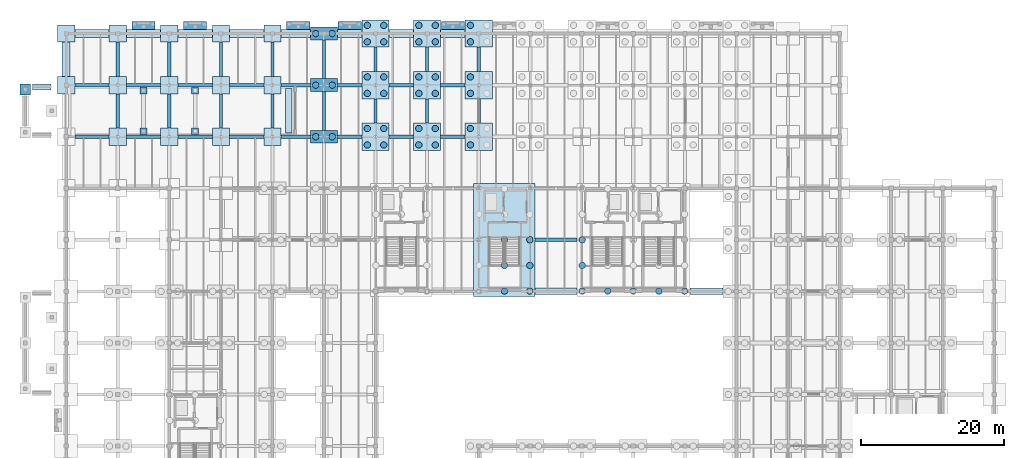
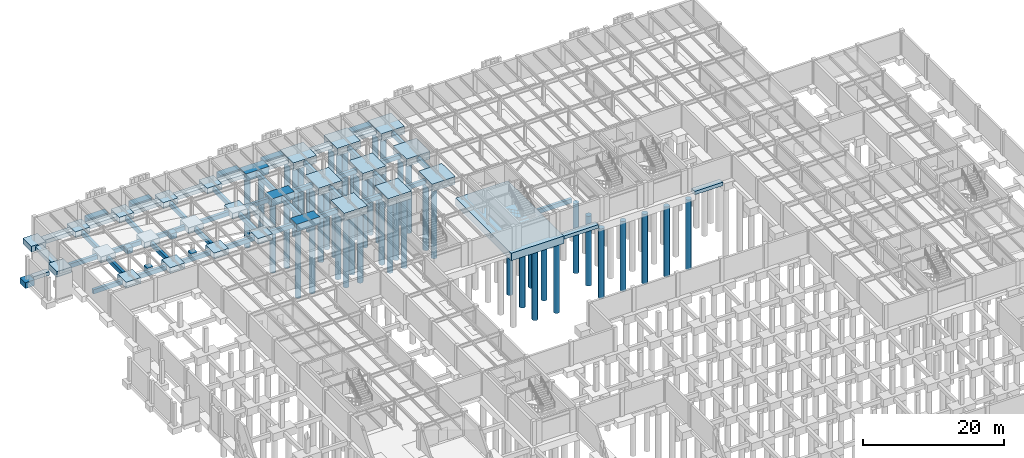
# One storey, part 7 of 46: 83 footings, 49 piles.
"""IFC4 building model written with IfcOpenShell, lengths in metres."""

from ifc_helpers import new_model, si_unit, direction, frame, origin, origin_2d, place, context, subcontext, project, spatial, rectangle, circle, extrude, material, material_profile, profile_set, type_object, element, save


model = new_model("IFC4")

# Units and contexts
model_context = context("Model", 3, precision=1e-05, world=origin(), true_north=direction((0.0, 1.0)))
body_context = subcontext(model_context, "Body", "Model", "MODEL_VIEW")
ifc_project = project(units=[si_unit("LENGTHUNIT", "METRE"), si_unit("AREAUNIT", "SQUARE_METRE"), si_unit("VOLUMEUNIT", "CUBIC_METRE"), si_unit("PLANEANGLEUNIT", "RADIAN"), si_unit("MASSUNIT", "GRAM", prefix="KILO")], contexts=[model_context])

# Site, building, storey
site_placement = place(None, origin())
site = spatial("IfcSite", under=ifc_project, at=site_placement, CompositionType="ELEMENT")
building_placement = place(site_placement, origin())
building = spatial("IfcBuilding", under=site, at=building_placement, Name="Sillqori Civic Hall", CompositionType="ELEMENT")
storey_placement = place(building_placement, frame((0.0, 0.0, -4.199951171875)))
storey = spatial("IfcBuildingStorey", under=building, at=storey_placement, Name="B01", CompositionType="ELEMENT", Elevation=-4.199951171875)

# Footings
ifc_material = material(Name="Concrete C35/45 (H35)", Category="concrete")
footing_type_1 = type_object("IfcFootingType", Name="FB-450X750", PredefinedType="FOOTING_BEAM", material=ifc_material)
for number, where, z_axis, x_axis, name in (
    (1, (10.800048828125, 100.800048828125, -0.969970703125), (0.0, 0.0, 1.0), (1.0, 0.0, 0.0), "Seismic tie beam X 1-14"),
    (2, (10.800048828125, 108.0, -0.969970703125), (0.0, 0.0, 1.0), (1.0, 0.0, 0.0), "Seismic tie beam X 1-15"),
    (3, (18.0, 100.800048828125, -0.969970703125), (0.0, 0.0, 1.0), (1.0, 0.0, 0.0), "Seismic tie beam X 2-14"),
):
    element("IfcFooting", number, at=place(storey_placement, frame(where, z_axis=z_axis, x_axis=x_axis)), inside=storey, type_object=footing_type_1, Name=name, PredefinedType="FOOTING_BEAM", context=body_context, shape_type="SweptSolid", body=[
        extrude(rectangle(XDim=4.800048828125, YDim=0.449951171875, at=origin_2d()), origin(), (0.0, 0.0, 1.0), 0.75),
    ])
footing_1_placement = place(storey_placement, frame((14.39990234375, 104.39990234375, -0.969970703125), z_axis=(0.0, 0.0, 1.0), x_axis=(1.0, 0.0, 0.0)))
element("IfcFooting", 4, at=footing_1_placement, inside=storey, type_object=footing_type_1, Name="Seismic tie beam Y 2-14", PredefinedType="FOOTING_BEAM", context=body_context, shape_type="SweptSolid", body=[
    extrude(rectangle(XDim=0.449951171875, YDim=4.800048828125, at=origin_2d()), origin(), (0.0, 0.0, 1.0), 0.75),
])
footing_2_placement = place(storey_placement, frame((18.0, 108.0, -0.969970703125), z_axis=(0.0, 0.0, 1.0), x_axis=(1.0, 0.0, 0.0)))
element("IfcFooting", 5, at=footing_2_placement, inside=storey, type_object=footing_type_1, Name="Seismic tie beam X 2-15", PredefinedType="FOOTING_BEAM", context=body_context, shape_type="SweptSolid", body=[
    extrude(rectangle(XDim=4.800048828125, YDim=0.449951171875, at=origin_2d()), origin(), (0.0, 0.0, 1.0), 0.75),
])
footing_3_placement = place(storey_placement, frame((14.39990234375, 111.60009765625, -0.969970703125), z_axis=(0.0, 0.0, 1.0), x_axis=(1.0, 0.0, 0.0)))
element("IfcFooting", 6, at=footing_3_placement, inside=storey, type_object=footing_type_1, Name="Seismic tie beam Y 2-15", PredefinedType="FOOTING_BEAM", context=body_context, shape_type="SweptSolid", body=[
    extrude(rectangle(XDim=0.449951171875, YDim=4.800048828125, at=origin_2d()), origin(), (0.0, 0.0, 1.0), 0.75),
])
footing_4_placement = place(storey_placement, frame((25.199951171875, 100.800048828125, -0.969970703125), z_axis=(0.0, 0.0, 1.0), x_axis=(1.0, 0.0, 0.0)))
element("IfcFooting", 7, at=footing_4_placement, inside=storey, type_object=footing_type_1, Name="Seismic tie beam X 3-14", PredefinedType="FOOTING_BEAM", context=body_context, shape_type="SweptSolid", body=[
    extrude(rectangle(XDim=4.800048828125, YDim=0.449951171875, at=origin_2d()), origin(), (0.0, 0.0, 1.0), 0.75),
])
footing_5_placement = place(storey_placement, frame((21.60009765625, 104.39990234375, -0.969970703125), z_axis=(0.0, 0.0, 1.0), x_axis=(1.0, 0.0, 0.0)))
element("IfcFooting", 8, at=footing_5_placement, inside=storey, type_object=footing_type_1, Name="Seismic tie beam Y 3-14", PredefinedType="FOOTING_BEAM", context=body_context, shape_type="SweptSolid", body=[
    extrude(rectangle(XDim=0.449951171875, YDim=4.800048828125, at=origin_2d()), origin(), (0.0, 0.0, 1.0), 0.75),
])
footing_6_placement = place(storey_placement, frame((25.199951171875, 108.0, -0.969970703125), z_axis=(0.0, 0.0, 1.0), x_axis=(1.0, 0.0, 0.0)))
element("IfcFooting", 9, at=footing_6_placement, inside=storey, type_object=footing_type_1, Name="Seismic tie beam X 3-15", PredefinedType="FOOTING_BEAM", context=body_context, shape_type="SweptSolid", body=[
    extrude(rectangle(XDim=4.800048828125, YDim=0.449951171875, at=origin_2d()), origin(), (0.0, 0.0, 1.0), 0.75),
])
footing_7_placement = place(storey_placement, frame((21.60009765625, 111.60009765625, -0.969970703125), z_axis=(0.0, 0.0, 1.0), x_axis=(1.0, 0.0, 0.0)))
element("IfcFooting", 10, at=footing_7_placement, inside=storey, type_object=footing_type_1, Name="Seismic tie beam Y 3-15", PredefinedType="FOOTING_BEAM", context=body_context, shape_type="SweptSolid", body=[
    extrude(rectangle(XDim=0.449951171875, YDim=4.800048828125, at=origin_2d()), origin(), (0.0, 0.0, 1.0), 0.75),
])
footing_8_placement = place(storey_placement, frame((32.39990234375, 100.800048828125, -0.969970703125), z_axis=(0.0, 0.0, 1.0), x_axis=(1.0, 0.0, 0.0)))
element("IfcFooting", 11, at=footing_8_placement, inside=storey, type_object=footing_type_1, Name="Seismic tie beam X 4-14", PredefinedType="FOOTING_BEAM", context=body_context, shape_type="SweptSolid", body=[
    extrude(rectangle(XDim=4.800048828125, YDim=0.449951171875, at=origin_2d()), origin(), (0.0, 0.0, 1.0), 0.75),
])
footing_9_placement = place(storey_placement, frame((28.800048828125, 104.39990234375, -0.969970703125), z_axis=(0.0, 0.0, 1.0), x_axis=(1.0, 0.0, 0.0)))
element("IfcFooting", 12, at=footing_9_placement, inside=storey, type_object=footing_type_1, Name="Seismic tie beam Y 4-14", PredefinedType="FOOTING_BEAM", context=body_context, shape_type="SweptSolid", body=[
    extrude(rectangle(XDim=0.449951171875, YDim=4.800048828125, at=origin_2d()), origin(), (0.0, 0.0, 1.0), 0.75),
])
footing_10_placement = place(storey_placement, frame((32.39990234375, 108.0, -0.969970703125), z_axis=(0.0, 0.0, 1.0), x_axis=(1.0, 0.0, 0.0)))
element("IfcFooting", 13, at=footing_10_placement, inside=storey, type_object=footing_type_1, Name="Seismic tie beam X 4-15", PredefinedType="FOOTING_BEAM", context=body_context, shape_type="SweptSolid", body=[
    extrude(rectangle(XDim=4.800048828125, YDim=0.449951171875, at=origin_2d()), origin(), (0.0, 0.0, 1.0), 0.75),
])
footing_11_placement = place(storey_placement, frame((28.800048828125, 111.60009765625, -0.969970703125), z_axis=(0.0, 0.0, 1.0), x_axis=(1.0, 0.0, 0.0)))
element("IfcFooting", 14, at=footing_11_placement, inside=storey, type_object=footing_type_1, Name="Seismic tie beam Y 4-15", PredefinedType="FOOTING_BEAM", context=body_context, shape_type="SweptSolid", body=[
    extrude(rectangle(XDim=0.449951171875, YDim=4.800048828125, at=origin_2d()), origin(), (0.0, 0.0, 1.0), 0.75),
])
footing_12_placement = place(storey_placement, frame((39.25, 100.800048828125, -0.969970703125), z_axis=(0.0, 0.0, 1.0), x_axis=(1.0, 0.0, 0.0)))
element("IfcFooting", 15, at=footing_12_placement, inside=storey, type_object=footing_type_1, Name="Seismic tie beam X 5-14", PredefinedType="FOOTING_BEAM", context=body_context, shape_type="SweptSolid", body=[
    extrude(rectangle(XDim=4.10009765625, YDim=0.449951171875, at=origin_2d()), origin(), (0.0, 0.0, 1.0), 0.75),
])
footing_13_placement = place(storey_placement, frame((36.0, 104.39990234375, -0.969970703125), z_axis=(0.0, 0.0, 1.0), x_axis=(1.0, 0.0, 0.0)))
element("IfcFooting", 16, at=footing_13_placement, inside=storey, type_object=footing_type_1, Name="Seismic tie beam Y 5-14", PredefinedType="FOOTING_BEAM", context=body_context, shape_type="SweptSolid", body=[
    extrude(rectangle(XDim=0.449951171875, YDim=4.800048828125, at=origin_2d()), origin(), (0.0, 0.0, 1.0), 0.75),
])
footing_14_placement = place(storey_placement, frame((39.25, 108.0, -0.969970703125), z_axis=(0.0, 0.0, 1.0), x_axis=(1.0, 0.0, 0.0)))
element("IfcFooting", 17, at=footing_14_placement, inside=storey, type_object=footing_type_1, Name="Seismic tie beam X 5-15", PredefinedType="FOOTING_BEAM", context=body_context, shape_type="SweptSolid", body=[
    extrude(rectangle(XDim=4.10009765625, YDim=0.449951171875, at=origin_2d()), origin(), (0.0, 0.0, 1.0), 0.75),
])
footing_15_placement = place(storey_placement, frame((36.0, 111.60009765625, -0.969970703125), z_axis=(0.0, 0.0, 1.0), x_axis=(1.0, 0.0, 0.0)))
element("IfcFooting", 18, at=footing_15_placement, inside=storey, type_object=footing_type_1, Name="Seismic tie beam Y 5-15", PredefinedType="FOOTING_BEAM", context=body_context, shape_type="SweptSolid", body=[
    extrude(rectangle(XDim=0.449951171875, YDim=4.800048828125, at=origin_2d()), origin(), (0.0, 0.0, 1.0), 0.75),
])
footing_16_placement = place(storey_placement, frame((46.800048828125, 100.800048828125, -0.969970703125), z_axis=(0.0, 0.0, 1.0), x_axis=(1.0, 0.0, 0.0)))
element("IfcFooting", 19, at=footing_16_placement, inside=storey, type_object=footing_type_1, Name="Seismic tie beam X 6-14", PredefinedType="FOOTING_BEAM", context=body_context, shape_type="SweptSolid", body=[
    extrude(rectangle(XDim=3.39990234375, YDim=0.449951171875, at=origin_2d()), origin(), (0.0, 0.0, 1.0), 0.75),
])
footing_17_placement = place(storey_placement, frame((43.199951171875, 104.39990234375, -0.969970703125), z_axis=(0.0, 0.0, 1.0), x_axis=(1.0, 0.0, 0.0)))
element("IfcFooting", 20, at=footing_17_placement, inside=storey, type_object=footing_type_1, Name="Seismic tie beam Y 6-14", PredefinedType="FOOTING_BEAM", context=body_context, shape_type="SweptSolid", body=[
    extrude(rectangle(XDim=0.449951171875, YDim=5.39990234375, at=origin_2d()), origin(), (0.0, 0.0, 1.0), 0.75),
])
footing_18_placement = place(storey_placement, frame((46.800048828125, 108.0, -0.969970703125), z_axis=(0.0, 0.0, 1.0), x_axis=(1.0, 0.0, 0.0)))
element("IfcFooting", 21, at=footing_18_placement, inside=storey, type_object=footing_type_1, Name="Seismic tie beam X 6-15", PredefinedType="FOOTING_BEAM", context=body_context, shape_type="SweptSolid", body=[
    extrude(rectangle(XDim=3.39990234375, YDim=0.449951171875, at=origin_2d()), origin(), (0.0, 0.0, 1.0), 0.75),
])
footing_19_placement = place(storey_placement, frame((43.199951171875, 111.60009765625, -0.969970703125), z_axis=(0.0, 0.0, 1.0), x_axis=(1.0, 0.0, 0.0)))
element("IfcFooting", 22, at=footing_19_placement, inside=storey, type_object=footing_type_1, Name="Seismic tie beam Y 6-15", PredefinedType="FOOTING_BEAM", context=body_context, shape_type="SweptSolid", body=[
    extrude(rectangle(XDim=0.449951171875, YDim=5.39990234375, at=origin_2d()), origin(), (0.0, 0.0, 1.0), 0.75),
])
footing_20_placement = place(storey_placement, frame((54.0, 100.800048828125, -0.969970703125), z_axis=(0.0, 0.0, 1.0), x_axis=(1.0, 0.0, 0.0)))
element("IfcFooting", 23, at=footing_20_placement, inside=storey, type_object=footing_type_1, Name="Seismic tie beam X 7-14", PredefinedType="FOOTING_BEAM", context=body_context, shape_type="SweptSolid", body=[
    extrude(rectangle(XDim=3.39990234375, YDim=0.449951171875, at=origin_2d()), origin(), (0.0, 0.0, 1.0), 0.75),
])
footing_21_placement = place(storey_placement, frame((50.39990234375, 104.39990234375, -0.969970703125), z_axis=(0.0, 0.0, 1.0), x_axis=(1.0, 0.0, 0.0)))
element("IfcFooting", 24, at=footing_21_placement, inside=storey, type_object=footing_type_1, Name="Seismic tie beam Y 7-14", PredefinedType="FOOTING_BEAM", context=body_context, shape_type="SweptSolid", body=[
    extrude(rectangle(XDim=0.449951171875, YDim=3.39990234375, at=origin_2d()), origin(), (0.0, 0.0, 1.0), 0.75),
])
footing_22_placement = place(storey_placement, frame((54.0, 108.0, -0.969970703125), z_axis=(0.0, 0.0, 1.0), x_axis=(1.0, 0.0, 0.0)))
element("IfcFooting", 25, at=footing_22_placement, inside=storey, type_object=footing_type_1, Name="Seismic tie beam X 7-15", PredefinedType="FOOTING_BEAM", context=body_context, shape_type="SweptSolid", body=[
    extrude(rectangle(XDim=3.39990234375, YDim=0.449951171875, at=origin_2d()), origin(), (0.0, 0.0, 1.0), 0.75),
])
footing_23_placement = place(storey_placement, frame((50.39990234375, 111.60009765625, -0.969970703125), z_axis=(0.0, 0.0, 1.0), x_axis=(1.0, 0.0, 0.0)))
element("IfcFooting", 26, at=footing_23_placement, inside=storey, type_object=footing_type_1, Name="Seismic tie beam Y 7-15", PredefinedType="FOOTING_BEAM", context=body_context, shape_type="SweptSolid", body=[
    extrude(rectangle(XDim=0.449951171875, YDim=3.39990234375, at=origin_2d()), origin(), (0.0, 0.0, 1.0), 0.75),
])
footing_24_placement = place(storey_placement, frame((61.199951171875, 100.800048828125, -0.969970703125), z_axis=(0.0, 0.0, 1.0), x_axis=(1.0, 0.0, 0.0)))
element("IfcFooting", 27, at=footing_24_placement, inside=storey, type_object=footing_type_1, Name="Seismic tie beam X 8-14", PredefinedType="FOOTING_BEAM", context=body_context, shape_type="SweptSolid", body=[
    extrude(rectangle(XDim=3.39990234375, YDim=0.449951171875, at=origin_2d()), origin(), (0.0, 0.0, 1.0), 0.75),
])
footing_25_placement = place(storey_placement, frame((57.60009765625, 104.39990234375, -0.969970703125), z_axis=(0.0, 0.0, 1.0), x_axis=(1.0, 0.0, 0.0)))
element("IfcFooting", 28, at=footing_25_placement, inside=storey, type_object=footing_type_1, Name="Seismic tie beam Y 8-14", PredefinedType="FOOTING_BEAM", context=body_context, shape_type="SweptSolid", body=[
    extrude(rectangle(XDim=0.449951171875, YDim=3.39990234375, at=origin_2d()), origin(), (0.0, 0.0, 1.0), 0.75),
])
footing_26_placement = place(storey_placement, frame((61.199951171875, 108.0, -0.969970703125), z_axis=(0.0, 0.0, 1.0), x_axis=(1.0, 0.0, 0.0)))
element("IfcFooting", 29, at=footing_26_placement, inside=storey, type_object=footing_type_1, Name="Seismic tie beam X 8-15", PredefinedType="FOOTING_BEAM", context=body_context, shape_type="SweptSolid", body=[
    extrude(rectangle(XDim=3.39990234375, YDim=0.449951171875, at=origin_2d()), origin(), (0.0, 0.0, 1.0), 0.75),
])
for number, where, z_axis, x_axis, name in (
    (30, (57.60009765625, 111.60009765625, -0.969970703125), (0.0, 0.0, 1.0), (1.0, 0.0, 0.0), "Seismic tie beam Y 8-15"),
    (31, (64.800048828125, 104.39990234375, -0.969970703125), (0.0, 0.0, 1.0), (1.0, 0.0, 0.0), "Seismic tie beam Y 9-14"),
    (32, (64.800048828125, 111.60009765625, -0.969970703125), (0.0, 0.0, 1.0), (1.0, 0.0, 0.0), "Seismic tie beam Y 9-15"),
):
    element("IfcFooting", number, at=place(storey_placement, frame(where, z_axis=z_axis, x_axis=x_axis)), inside=storey, type_object=footing_type_1, Name=name, PredefinedType="FOOTING_BEAM", context=body_context, shape_type="SweptSolid", body=[
        extrude(rectangle(XDim=0.449951171875, YDim=3.39990234375, at=origin_2d()), origin(), (0.0, 0.0, 1.0), 0.75),
    ])
footing_27_placement = place(storey_placement, frame((75.60009765625, 86.39990234375, -0.969970703125), z_axis=(0.0, 0.0, 1.0), x_axis=(1.0, 0.0, 0.0)))
element("IfcFooting", 33, at=footing_27_placement, inside=storey, type_object=footing_type_1, Name="Seismic tie beam X 10-12", PredefinedType="FOOTING_BEAM", context=body_context, shape_type="SweptSolid", body=[
    extrude(rectangle(XDim=5.800048828125, YDim=0.449951171875, at=origin_2d()), origin(), (0.0, 0.0, 1.0), 0.75),
])
footing_type_2 = type_object("IfcFootingType", Name="PC-2P", PredefinedType="PILE_CAP", material=ifc_material)
for number, where, z_axis, x_axis, name in (
    (34, (43.199951171875, 100.800048828125, -1.30029296875), (0.0, 0.0, 1.0), (1.0, 0.0, 0.0), "Pile cap 6-14"),
    (35, (43.199951171875, 108.0, -1.30029296875), (0.0, 0.0, 1.0), (1.0, 0.0, 0.0), "Pile cap 6-15"),
    (36, (43.199951171875, 115.199951171875, -1.30029296875), (0.0, 0.0, 1.0), (1.0, 0.0, 0.0), "Pile cap 6-16"),
):
    element("IfcFooting", number, at=place(storey_placement, frame(where, z_axis=z_axis, x_axis=x_axis)), inside=storey, type_object=footing_type_2, Name=name, PredefinedType="PILE_CAP", context=body_context, shape_type="SweptSolid", body=[
        extrude(rectangle(XDim=3.800048828125, YDim=1.800048828125, at=origin_2d()), origin(), (0.0, 0.0, 1.0), 1.300048828125),
    ])
footing_type_3 = type_object("IfcFootingType", Name="PC-4P", PredefinedType="PILE_CAP", material=ifc_material)
for number, where, z_axis, x_axis, name in (
    (37, (50.39990234375, 100.800048828125, -1.30029296875), (0.0, 0.0, 1.0), (1.0, 0.0, 0.0), "Pile cap 7-14"),
    (38, (50.39990234375, 108.0, -1.30029296875), (0.0, 0.0, 1.0), (1.0, 0.0, 0.0), "Pile cap 7-15"),
    (39, (50.39990234375, 115.199951171875, -1.30029296875), (0.0, 0.0, 1.0), (1.0, 0.0, 0.0), "Pile cap 7-16"),
    (40, (57.60009765625, 100.800048828125, -1.30029296875), (0.0, 0.0, 1.0), (1.0, 0.0, 0.0), "Pile cap 8-14"),
    (41, (57.60009765625, 108.0, -1.30029296875), (0.0, 0.0, 1.0), (1.0, 0.0, 0.0), "Pile cap 8-15"),
    (42, (57.60009765625, 115.199951171875, -1.30029296875), (0.0, 0.0, 1.0), (1.0, 0.0, 0.0), "Pile cap 8-16"),
    (43, (64.800048828125, 100.800048828125, -1.30029296875), (0.0, 0.0, 1.0), (1.0, 0.0, 0.0), "Pile cap 9-14"),
    (44, (64.800048828125, 108.0, -1.30029296875), (0.0, 0.0, 1.0), (1.0, 0.0, 0.0), "Pile cap 9-15"),
    (45, (64.800048828125, 115.199951171875, -1.30029296875), (0.0, 0.0, 1.0), (1.0, 0.0, 0.0), "Pile cap 9-16"),
):
    element("IfcFooting", number, at=place(storey_placement, frame(where, z_axis=z_axis, x_axis=x_axis)), inside=storey, type_object=footing_type_3, Name=name, PredefinedType="PILE_CAP", context=body_context, shape_type="SweptSolid", body=[
        extrude(rectangle(XDim=3.800048828125, YDim=3.800048828125, at=origin_2d()), origin(), (0.0, 0.0, 1.0), 1.300048828125),
    ])
footing_type_4 = type_object("IfcFootingType", Name="PC-CORE", PredefinedType="PILE_CAP", material=ifc_material)
footing_28_placement = place(storey_placement, frame((68.39990234375, 86.39990234375, -1.30029296875), z_axis=(0.0, 0.0, 1.0), x_axis=(1.0, 0.0, 0.0)))
element("IfcFooting", 46, at=footing_28_placement, inside=storey, type_object=footing_type_4, Name="Core mat pile cap C6", PredefinedType="PILE_CAP", context=body_context, shape_type="SweptSolid", body=[
    extrude(rectangle(XDim=8.60009765625, YDim=15.800048828125, at=origin_2d()), origin(), (0.0, 0.0, 1.0), 1.300048828125),
])
footing_type_5 = type_object("IfcFootingType", Name="PF-1500", PredefinedType="PAD_FOOTING", material=ifc_material)
footing_29_placement = place(storey_placement, frame((1.5, 107.39990234375, -1.0), z_axis=(0.0, 0.0, 1.0), x_axis=(1.0, 0.0, 0.0)))
element("IfcFooting", 47, at=footing_29_placement, inside=storey, type_object=footing_type_5, Name="Car park ramp grade apron footing 2", PredefinedType="PAD_FOOTING", context=body_context, shape_type="SweptSolid", body=[
    extrude(rectangle(XDim=1.5, YDim=1.5, at=origin_2d()), origin(), (0.0, 0.0, 1.0), 1.0),
])
footing_type_6 = type_object("IfcFootingType", Name="PF-2400", PredefinedType="PAD_FOOTING", material=ifc_material)
for number, where, z_axis, x_axis, name in (
    (48, (7.199951171875, 108.0, -1.0), (0.0, 0.0, 1.0), (1.0, 0.0, 0.0), "Spread footing 1-15"),
    (49, (7.199951171875, 115.199951171875, -1.0), (0.0, 0.0, 1.0), (1.0, 0.0, 0.0), "Spread footing 1-16"),
    (50, (14.39990234375, 100.800048828125, -1.0), (0.0, 0.0, 1.0), (1.0, 0.0, 0.0), "Spread footing 2-14"),
    (51, (14.39990234375, 108.0, -1.0), (0.0, 0.0, 1.0), (1.0, 0.0, 0.0), "Spread footing 2-15"),
    (52, (14.39990234375, 115.199951171875, -1.0), (0.0, 0.0, 1.0), (1.0, 0.0, 0.0), "Spread footing 2-16"),
    (53, (21.60009765625, 100.800048828125, -1.0), (0.0, 0.0, 1.0), (1.0, 0.0, 0.0), "Spread footing 3-14"),
    (54, (21.60009765625, 108.0, -1.0), (0.0, 0.0, 1.0), (1.0, 0.0, 0.0), "Spread footing 3-15"),
    (55, (21.60009765625, 115.199951171875, -1.0), (0.0, 0.0, 1.0), (1.0, 0.0, 0.0), "Spread footing 3-16"),
    (56, (28.800048828125, 100.800048828125, -1.0), (0.0, 0.0, 1.0), (1.0, 0.0, 0.0), "Spread footing 4-14"),
    (57, (28.800048828125, 108.0, -1.0), (0.0, 0.0, 1.0), (1.0, 0.0, 0.0), "Spread footing 4-15"),
    (58, (28.800048828125, 115.199951171875, -1.0), (0.0, 0.0, 1.0), (1.0, 0.0, 0.0), "Spread footing 4-16"),
    (59, (36.0, 100.800048828125, -1.0), (0.0, 0.0, 1.0), (1.0, 0.0, 0.0), "Spread footing 5-14"),
    (60, (36.0, 108.0, -1.0), (0.0, 0.0, 1.0), (1.0, 0.0, 0.0), "Spread footing 5-15"),
    (61, (36.0, 115.199951171875, -1.0), (0.0, 0.0, 1.0), (1.0, 0.0, 0.0), "Spread footing 5-16"),
):
    element("IfcFooting", number, at=place(storey_placement, frame(where, z_axis=z_axis, x_axis=x_axis)), inside=storey, type_object=footing_type_6, Name=name, PredefinedType="PAD_FOOTING", context=body_context, shape_type="SweptSolid", body=[
        extrude(rectangle(XDim=2.39990234375, YDim=2.39990234375, at=origin_2d()), origin(), (0.0, 0.0, 1.0), 1.0),
    ])
footing_type_7 = type_object("IfcFootingType", Name="PF-950", PredefinedType="PAD_FOOTING", material=ifc_material)
for number, where, z_axis, x_axis, name in (
    (62, (18.0, 101.550048828125, -1.0), (0.0, 0.0, 1.0), (1.0, 0.0, 0.0), "Vehicle ramp bent 1 pad footing 1"),
    (63, (18.0, 107.25, -1.0), (0.0, 0.0, 1.0), (1.0, 0.0, 0.0), "Vehicle ramp bent 1 pad footing 2"),
    (64, (25.199951171875, 101.550048828125, -1.0), (0.0, 0.0, 1.0), (1.0, 0.0, 0.0), "Vehicle ramp bent 2 pad footing 1"),
    (65, (25.199951171875, 107.25, -1.0), (0.0, 0.0, 1.0), (1.0, 0.0, 0.0), "Vehicle ramp bent 2 pad footing 2"),
):
    element("IfcFooting", number, at=place(storey_placement, frame(where, z_axis=z_axis, x_axis=x_axis)), inside=storey, type_object=footing_type_7, Name=name, PredefinedType="PAD_FOOTING", context=body_context, shape_type="SweptSolid", body=[
        extrude(rectangle(XDim=0.949951171875, YDim=0.949951171875, at=origin_2d()), origin(), (0.0, 0.0, 1.0), 1.0),
    ])

# Piles
ifc_material_profile = material_profile(ifc_material, circle(Radius=0.449951171875, at=origin_2d()), Name="BORED PILE 900")
ifc_profile_set = profile_set([ifc_material_profile], Name="Concrete C35/45 (H35)")
pile_type = type_object("IfcPileType", Name="PILE-BORED-900", PredefinedType="BORED", material=ifc_profile_set)
for number, where, z_axis, x_axis, name in (
    (66, (68.39990234375, 79.25, -1.199951171875), (0.0, 0.0, -1.0), (1.0, 0.0, 0.0), "Bored pile FTG-CAP-C6-06"),
    (67, (68.39990234375, 82.824951171875, -1.199951171875), (0.0, 0.0, -1.0), (1.0, 0.0, 0.0), "Bored pile FTG-CAP-C6-07"),
    (68, (68.39990234375, 86.39990234375, -1.199951171875), (0.0, 0.0, -1.0), (1.0, 0.0, 0.0), "Bored pile FTG-CAP-C6-08"),
    (69, (71.949951171875, 79.25, -1.199951171875), (0.0, 0.0, -1.0), (1.0, 0.0, 0.0), "Bored pile FTG-CAP-C6-11"),
    (70, (71.949951171875, 82.824951171875, -1.199951171875), (0.0, 0.0, -1.0), (1.0, 0.0, 0.0), "Bored pile FTG-CAP-C6-12"),
    (71, (71.949951171875, 86.39990234375, -1.199951171875), (0.0, 0.0, -1.0), (1.0, 0.0, 0.0), "Bored pile FTG-CAP-C6-13"),
    (72, (79.25, 79.25, -1.199951171875), (0.0, 0.0, -1.0), (1.0, 0.0, 0.0), "Bored pile FTG-CAP-C7C8-01"),
    (73, (79.25, 82.824951171875, -1.199951171875), (0.0, 0.0, -1.0), (1.0, 0.0, 0.0), "Bored pile FTG-CAP-C7C8-02"),
    (74, (79.25, 86.39990234375, -1.199951171875), (0.0, 0.0, -1.0), (1.0, 0.0, 0.0), "Bored pile FTG-CAP-C7C8-03"),
    (75, (82.824951171875, 79.25, -1.199951171875), (0.0, 0.0, -1.0), (1.0, 0.0, 0.0), "Bored pile FTG-CAP-C7C8-06"),
    (76, (86.39990234375, 79.25, -1.199951171875), (0.0, 0.0, -1.0), (1.0, 0.0, 0.0), "Bored pile FTG-CAP-C7C8-11"),
    (77, (89.97509765625, 79.25, -1.199951171875), (0.0, 0.0, -1.0), (1.0, 0.0, 0.0), "Bored pile FTG-CAP-C7C8-16"),
    (78, (93.550048828125, 79.25, -1.199951171875), (0.0, 0.0, -1.0), (1.0, 0.0, 0.0), "Bored pile FTG-CAP-C7C8-21"),
    (79, (42.050048828125, 100.800048828125, -1.199951171875), (0.0, 0.0, -1.0), (1.0, 0.0, 0.0), "Bored pile FTG-PC-06-14-01"),
    (80, (44.35009765625, 100.800048828125, -1.199951171875), (0.0, 0.0, -1.0), (1.0, 0.0, 0.0), "Bored pile FTG-PC-06-14-02"),
    (81, (42.050048828125, 108.0, -1.199951171875), (0.0, 0.0, -1.0), (1.0, 0.0, 0.0), "Bored pile FTG-PC-06-15-01"),
    (82, (44.35009765625, 108.0, -1.199951171875), (0.0, 0.0, -1.0), (1.0, 0.0, 0.0), "Bored pile FTG-PC-06-15-02"),
    (83, (42.050048828125, 115.199951171875, -1.199951171875), (0.0, 0.0, -1.0), (1.0, 0.0, 0.0), "Bored pile FTG-PC-06-16-01"),
    (84, (44.35009765625, 115.199951171875, -1.199951171875), (0.0, 0.0, -1.0), (1.0, 0.0, 0.0), "Bored pile FTG-PC-06-16-02"),
    (85, (49.25, 99.64990234375, -1.199951171875), (0.0, 0.0, -1.0), (1.0, 0.0, 0.0), "Bored pile FTG-PC-07-14-01"),
    (86, (49.25, 101.949951171875, -1.199951171875), (0.0, 0.0, -1.0), (1.0, 0.0, 0.0), "Bored pile FTG-PC-07-14-02"),
    (87, (51.550048828125, 99.64990234375, -1.199951171875), (0.0, 0.0, -1.0), (1.0, 0.0, 0.0), "Bored pile FTG-PC-07-14-03"),
    (88, (51.550048828125, 101.949951171875, -1.199951171875), (0.0, 0.0, -1.0), (1.0, 0.0, 0.0), "Bored pile FTG-PC-07-14-04"),
    (89, (49.25, 106.85009765625, -1.199951171875), (0.0, 0.0, -1.0), (1.0, 0.0, 0.0), "Bored pile FTG-PC-07-15-01"),
    (90, (49.25, 109.14990234375, -1.199951171875), (0.0, 0.0, -1.0), (1.0, 0.0, 0.0), "Bored pile FTG-PC-07-15-02"),
    (91, (51.550048828125, 106.85009765625, -1.199951171875), (0.0, 0.0, -1.0), (1.0, 0.0, 0.0), "Bored pile FTG-PC-07-15-03"),
    (92, (51.550048828125, 109.14990234375, -1.199951171875), (0.0, 0.0, -1.0), (1.0, 0.0, 0.0), "Bored pile FTG-PC-07-15-04"),
    (93, (49.25, 114.050048828125, -1.199951171875), (0.0, 0.0, -1.0), (1.0, 0.0, 0.0), "Bored pile FTG-PC-07-16-01"),
    (94, (49.25, 116.35009765625, -1.199951171875), (0.0, 0.0, -1.0), (1.0, 0.0, 0.0), "Bored pile FTG-PC-07-16-02"),
    (95, (51.550048828125, 114.050048828125, -1.199951171875), (0.0, 0.0, -1.0), (1.0, 0.0, 0.0), "Bored pile FTG-PC-07-16-03"),
    (96, (51.550048828125, 116.35009765625, -1.199951171875), (0.0, 0.0, -1.0), (1.0, 0.0, 0.0), "Bored pile FTG-PC-07-16-04"),
    (97, (56.449951171875, 99.64990234375, -1.199951171875), (0.0, 0.0, -1.0), (1.0, 0.0, 0.0), "Bored pile FTG-PC-08-14-01"),
    (98, (56.449951171875, 101.949951171875, -1.199951171875), (0.0, 0.0, -1.0), (1.0, 0.0, 0.0), "Bored pile FTG-PC-08-14-02"),
    (99, (58.75, 99.64990234375, -1.199951171875), (0.0, 0.0, -1.0), (1.0, 0.0, 0.0), "Bored pile FTG-PC-08-14-03"),
    (100, (58.75, 101.949951171875, -1.199951171875), (0.0, 0.0, -1.0), (1.0, 0.0, 0.0), "Bored pile FTG-PC-08-14-04"),
    (101, (56.449951171875, 106.85009765625, -1.199951171875), (0.0, 0.0, -1.0), (1.0, 0.0, 0.0), "Bored pile FTG-PC-08-15-01"),
    (102, (56.449951171875, 109.14990234375, -1.199951171875), (0.0, 0.0, -1.0), (1.0, 0.0, 0.0), "Bored pile FTG-PC-08-15-02"),
    (103, (58.75, 106.85009765625, -1.199951171875), (0.0, 0.0, -1.0), (1.0, 0.0, 0.0), "Bored pile FTG-PC-08-15-03"),
    (104, (58.75, 109.14990234375, -1.199951171875), (0.0, 0.0, -1.0), (1.0, 0.0, 0.0), "Bored pile FTG-PC-08-15-04"),
    (105, (56.449951171875, 114.050048828125, -1.199951171875), (0.0, 0.0, -1.0), (1.0, 0.0, 0.0), "Bored pile FTG-PC-08-16-01"),
    (106, (56.449951171875, 116.35009765625, -1.199951171875), (0.0, 0.0, -1.0), (1.0, 0.0, 0.0), "Bored pile FTG-PC-08-16-02"),
    (107, (58.75, 114.050048828125, -1.199951171875), (0.0, 0.0, -1.0), (1.0, 0.0, 0.0), "Bored pile FTG-PC-08-16-03"),
    (108, (58.75, 116.35009765625, -1.199951171875), (0.0, 0.0, -1.0), (1.0, 0.0, 0.0), "Bored pile FTG-PC-08-16-04"),
    (109, (63.64990234375, 99.64990234375, -1.199951171875), (0.0, 0.0, -1.0), (1.0, 0.0, 0.0), "Bored pile FTG-PC-09-14-01"),
    (110, (63.64990234375, 101.949951171875, -1.199951171875), (0.0, 0.0, -1.0), (1.0, 0.0, 0.0), "Bored pile FTG-PC-09-14-02"),
    (111, (63.64990234375, 106.85009765625, -1.199951171875), (0.0, 0.0, -1.0), (1.0, 0.0, 0.0), "Bored pile FTG-PC-09-15-01"),
    (112, (63.64990234375, 109.14990234375, -1.199951171875), (0.0, 0.0, -1.0), (1.0, 0.0, 0.0), "Bored pile FTG-PC-09-15-02"),
    (113, (63.64990234375, 114.050048828125, -1.199951171875), (0.0, 0.0, -1.0), (1.0, 0.0, 0.0), "Bored pile FTG-PC-09-16-01"),
    (114, (63.64990234375, 116.35009765625, -1.199951171875), (0.0, 0.0, -1.0), (1.0, 0.0, 0.0), "Bored pile FTG-PC-09-16-02"),
):
    element("IfcPile", number, at=place(storey_placement, frame(where, z_axis=z_axis, x_axis=x_axis)), inside=storey, type_object=pile_type, Name=name, PredefinedType="BORED", context=body_context, shape_type="SweptSolid", body=[
        extrude(circle(Radius=0.449951171875, at=origin_2d()), origin(), (0.0, 0.0, 1.0), 12.10009765625),
    ])

# Footings
footing_type_8 = type_object("IfcFootingType", Name="SF-1100X650", PredefinedType="STRIP_FOOTING", material=ifc_material)
footing_30_placement = place(storey_placement, frame((10.800048828125, 115.199951171875, -0.8701171875), z_axis=(0.0, 0.0, 1.0), x_axis=(1.0, 0.0, 0.0)))
element("IfcFooting", 115, at=footing_30_placement, inside=storey, type_object=footing_type_8, Name="Perimeter strip footing N 1-15", PredefinedType="STRIP_FOOTING", context=body_context, shape_type="SweptSolid", body=[
    extrude(rectangle(XDim=4.800048828125, YDim=1.10009765625, at=origin_2d()), origin(), (0.0, 0.0, 1.0), 0.64990234375),
])
footing_31_placement = place(storey_placement, frame((7.199951171875, 111.60009765625, -0.8701171875), z_axis=(0.0, 0.0, 1.0), x_axis=(1.0, 0.0, 0.0)))
element("IfcFooting", 116, at=footing_31_placement, inside=storey, type_object=footing_type_8, Name="Perimeter strip footing W 1-15", PredefinedType="STRIP_FOOTING", context=body_context, shape_type="SweptSolid", body=[
    extrude(rectangle(XDim=1.10009765625, YDim=4.800048828125, at=origin_2d()), origin(), (0.0, 0.0, 1.0), 0.64990234375),
])
for number, where, z_axis, x_axis, name in (
    (117, (18.0, 115.199951171875, -0.8701171875), (0.0, 0.0, 1.0), (1.0, 0.0, 0.0), "Perimeter strip footing N 2-15"),
    (118, (25.199951171875, 115.199951171875, -0.8701171875), (0.0, 0.0, 1.0), (1.0, 0.0, 0.0), "Perimeter strip footing N 3-15"),
    (119, (32.39990234375, 115.199951171875, -0.8701171875), (0.0, 0.0, 1.0), (1.0, 0.0, 0.0), "Perimeter strip footing N 4-15"),
):
    element("IfcFooting", number, at=place(storey_placement, frame(where, z_axis=z_axis, x_axis=x_axis)), inside=storey, type_object=footing_type_8, Name=name, PredefinedType="STRIP_FOOTING", context=body_context, shape_type="SweptSolid", body=[
        extrude(rectangle(XDim=4.800048828125, YDim=1.10009765625, at=origin_2d()), origin(), (0.0, 0.0, 1.0), 0.64990234375),
    ])
footing_32_placement = place(storey_placement, frame((39.25, 115.199951171875, -0.8701171875), z_axis=(0.0, 0.0, 1.0), x_axis=(1.0, 0.0, 0.0)))
element("IfcFooting", 120, at=footing_32_placement, inside=storey, type_object=footing_type_8, Name="Perimeter strip footing N 5-15", PredefinedType="STRIP_FOOTING", context=body_context, shape_type="SweptSolid", body=[
    extrude(rectangle(XDim=4.10009765625, YDim=1.10009765625, at=origin_2d()), origin(), (0.0, 0.0, 1.0), 0.64990234375),
])
for number, where, z_axis, x_axis, name in (
    (121, (46.800048828125, 115.199951171875, -0.8701171875), (0.0, 0.0, 1.0), (1.0, 0.0, 0.0), "Perimeter strip footing N 6-15"),
    (122, (54.0, 115.199951171875, -0.8701171875), (0.0, 0.0, 1.0), (1.0, 0.0, 0.0), "Perimeter strip footing N 7-15"),
    (123, (61.199951171875, 115.199951171875, -0.8701171875), (0.0, 0.0, 1.0), (1.0, 0.0, 0.0), "Perimeter strip footing N 8-15"),
):
    element("IfcFooting", number, at=place(storey_placement, frame(where, z_axis=z_axis, x_axis=x_axis)), inside=storey, type_object=footing_type_8, Name=name, PredefinedType="STRIP_FOOTING", context=body_context, shape_type="SweptSolid", body=[
        extrude(rectangle(XDim=3.39990234375, YDim=1.10009765625, at=origin_2d()), origin(), (0.0, 0.0, 1.0), 0.64990234375),
    ])
for number, where, z_axis, x_axis, name in (
    (124, (18.0, 116.35009765625, -1.0), (0.0, 0.0, 1.0), (1.0, 0.0, 0.0), "North Civic Garden Far West Exit stoop mat footing"),
    (125, (25.199951171875, 116.35009765625, -1.0), (0.0, 0.0, 1.0), (1.0, 0.0, 0.0), "North Civic Garden West Exit stoop mat footing"),
    (126, (39.60009765625, 116.35009765625, -1.0), (0.0, 0.0, 1.0), (1.0, 0.0, 0.0), "North Civic Garden Promenade Exit stoop mat footing"),
    (127, (46.800048828125, 116.35009765625, -1.0), (0.0, 0.0, 1.0), (1.0, 0.0, 0.0), "North Civic Garden Core C5 Exit stoop mat footing"),
    (128, (61.199951171875, 116.35009765625, -1.0), (0.0, 0.0, 1.0), (1.0, 0.0, 0.0), "North Civic Garden Core C6 Exit stoop mat footing"),
):
    element("IfcFooting", number, at=place(storey_placement, frame(where, z_axis=z_axis, x_axis=x_axis)), inside=storey, type_object=footing_type_8, Name=name, PredefinedType="STRIP_FOOTING", context=body_context, shape_type="SweptSolid", body=[
        extrude(rectangle(XDim=3.239990234375, YDim=1.1201171875, at=origin_2d()), origin(), (0.0, 0.0, 1.0), 1.0),
    ])
footing_type_9 = type_object("IfcFootingType", Name="SF-900X600", PredefinedType="STRIP_FOOTING", material=ifc_material)
footing_33_placement = place(storey_placement, frame((75.60009765625, 79.199951171875, -0.820068359375), z_axis=(0.0, 0.0, 1.0), x_axis=(1.0, 0.0, 0.0)))
element("IfcFooting", 129, at=footing_33_placement, inside=storey, type_object=footing_type_9, Name="Perimeter strip footing S 10-11", PredefinedType="STRIP_FOOTING", context=body_context, shape_type="SweptSolid", body=[
    extrude(rectangle(XDim=5.800048828125, YDim=0.89990234375, at=origin_2d()), origin(), (0.0, 0.0, 1.0), 0.60009765625),
])
footing_34_placement = place(storey_placement, frame((96.60009765625, 79.199951171875, -0.60009765625), z_axis=(0.0, 0.0, 1.0), x_axis=(1.0, 0.0, 0.0)))
element("IfcFooting", 130, at=footing_34_placement, inside=storey, type_object=footing_type_9, Name="Podium plinth strip footing S 13-11", PredefinedType="STRIP_FOOTING", context=body_context, shape_type="SweptSolid", body=[
    extrude(rectangle(XDim=4.60009765625, YDim=0.89990234375, at=origin_2d()), origin(), (0.0, 0.0, 1.0), 0.60009765625),
])
footing_35_placement = place(storey_placement, frame((3.800048828125, 107.75, -0.60009765625), z_axis=(0.0, 0.0, 1.0), x_axis=(1.0, 0.0, 0.0)))
element("IfcFooting", 131, at=footing_35_placement, inside=storey, type_object=footing_type_9, Name="Car park ramp grade apron plinth strip footing N", PredefinedType="STRIP_FOOTING", context=body_context, shape_type="SweptSolid", body=[
    extrude(rectangle(XDim=2.60009765625, YDim=0.800048828125, at=origin_2d()), origin(), (0.0, 0.0, 1.0), 0.60009765625),
])
footing_type_10 = type_object("IfcFootingType", Name="SF-900X720", PredefinedType="STRIP_FOOTING", material=ifc_material)
footing_36_placement = place(storey_placement, frame((38.300048828125, 104.39990234375, -0.9599609375), z_axis=(0.0, 0.0, 1.0), x_axis=(1.0, 0.0, 0.0)))
element("IfcFooting", 132, at=footing_36_placement, inside=storey, type_object=footing_type_10, Name="Vehicle ramp toe bearing strip footing", PredefinedType="STRIP_FOOTING", context=body_context, shape_type="SweptSolid", body=[
    extrude(rectangle(XDim=0.89990234375, YDim=6.199951171875, at=origin_2d()), origin(), (0.0, 0.0, 1.0), 0.719970703125),
])

save(model, "model.ifc")
